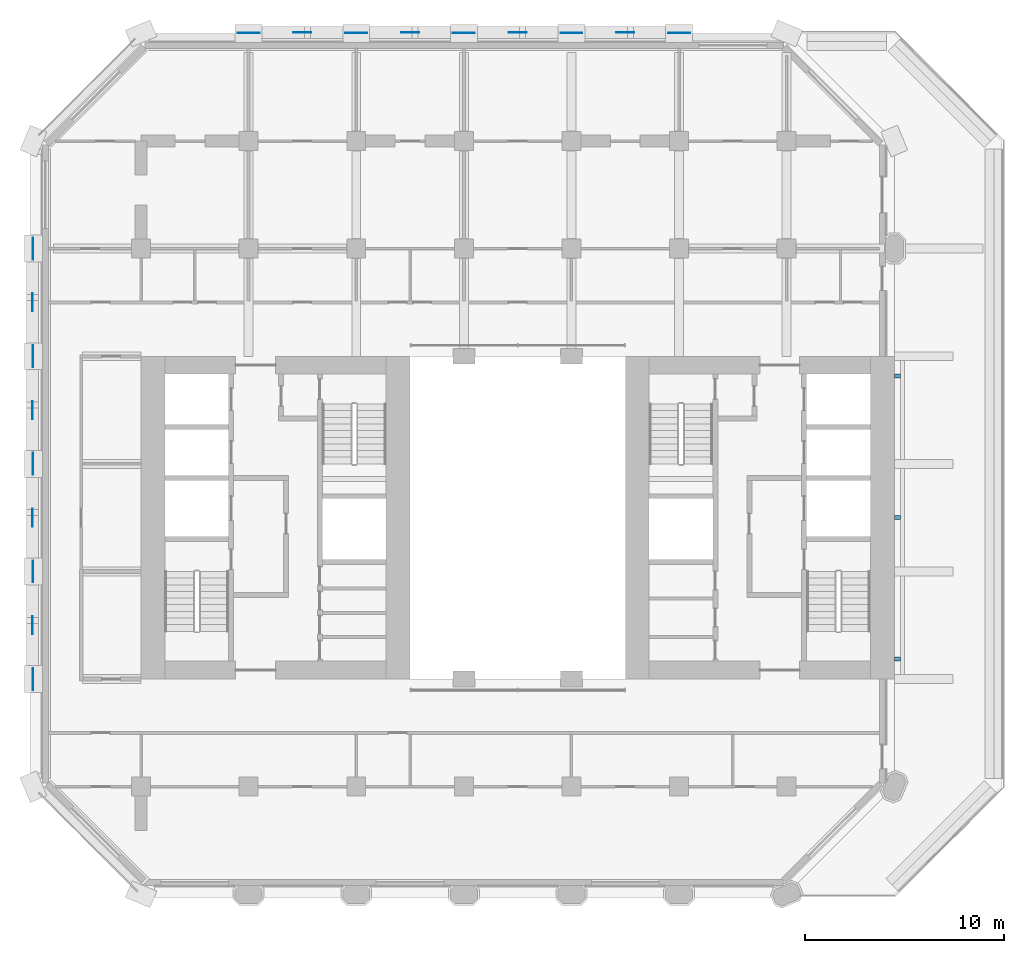
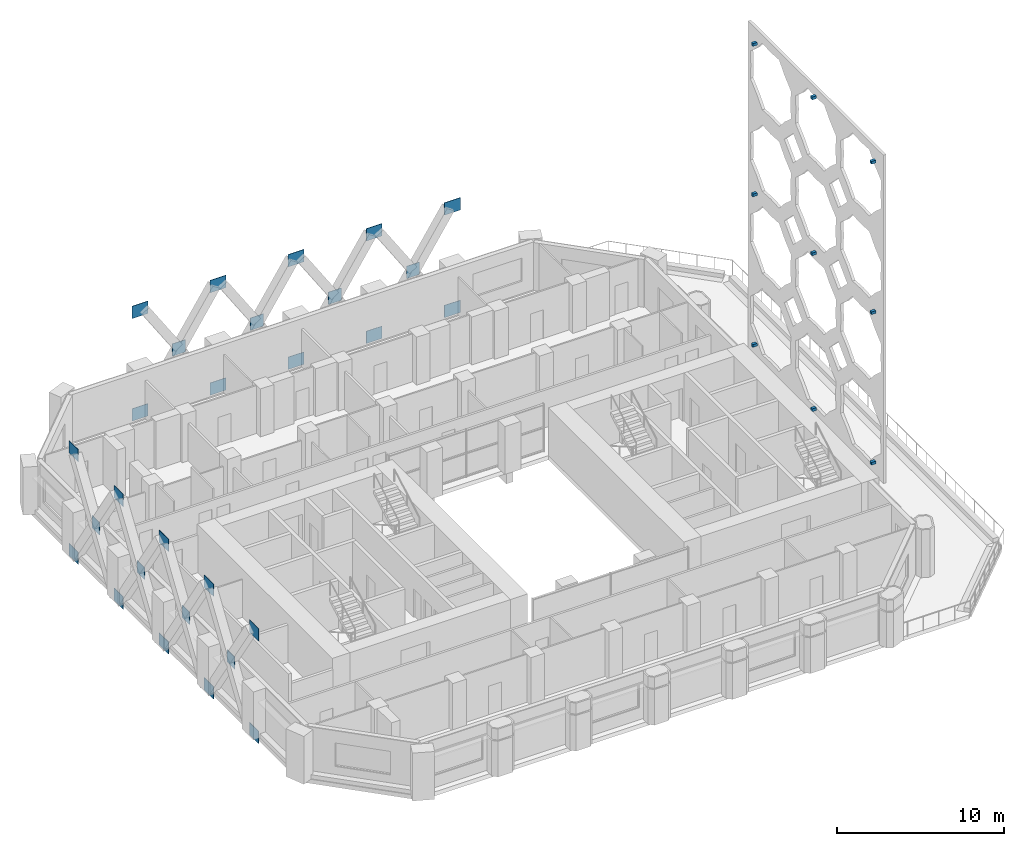
# One storey, part 11 of 14: 37 discrete accessories.
"""IFC4 building model written with IfcOpenShell, lengths in metres."""

from ifc_helpers import new_model, si_unit, direction, frame, origin, origin_2d, place, context, subcontext, project, spatial, rectangle, extrude, material, layer, layer_set, type_object, element, save


model = new_model("IFC4")

# Units and contexts
model_context = context("Model", 3, precision=1e-05, world=origin(), true_north=direction((0.0, 1.0)))
body_context = subcontext(model_context, "Body", "Model", "MODEL_VIEW")
ifc_project = project(units=[si_unit("LENGTHUNIT", "METRE"), si_unit("AREAUNIT", "SQUARE_METRE"), si_unit("VOLUMEUNIT", "CUBIC_METRE"), si_unit("PLANEANGLEUNIT", "RADIAN"), si_unit("MASSUNIT", "GRAM", prefix="KILO")], contexts=[model_context])

# Site, building, storey
site_placement = place(None, origin())
site = spatial("IfcSite", under=ifc_project, at=site_placement, CompositionType="ELEMENT")
building_placement = place(site_placement, origin())
building = spatial("IfcBuilding", under=site, at=building_placement, Name="Tabaq Tower and Sports Hall", CompositionType="ELEMENT")
storey_placement = place(building_placement, frame((0.0, 0.0, 95.39990234375)))
storey = spatial("IfcBuildingStorey", under=building, at=storey_placement, Name="L22", CompositionType="ELEMENT", Elevation=95.39990234375)

# Discrete accessories
ifc_material_1 = material(Name="Steel S355", Category="steel")
ifc_layer_1 = layer(ifc_material_1, 0.030029296875)
ifc_layer_set_1 = layer_set([ifc_layer_1], Name="TRANSFER BAND NODE PLATE 1100x900x30 S355")
discrete_accessory_type_1 = type_object("IfcDiscreteAccessoryType", Name="TRANSFER BAND NODE PLATE 1100x900x30 S355", PredefinedType="ANCHORPLATE", material=ifc_layer_set_1)
for number, where, z_axis, x_axis, name in (
    (1, (10.800048828125, 48.614990234375, -0.499755859375), (0.0, 0.0, 1.0), (-1.0, 0.0, 0.0), "Transfer band node plate L22 North"),
    (2, (16.199951171875, 48.614990234375, -0.499755859375), (0.0, 0.0, 1.0), (-1.0, 0.0, 0.0), "Transfer band node plate L22 North"),
    (3, (21.60009765625, 48.614990234375, -0.499755859375), (0.0, 0.0, 1.0), (-1.0, 0.0, 0.0), "Transfer band node plate L22 North"),
    (4, (27.0, 48.614990234375, -0.499755859375), (0.0, 0.0, 1.0), (-1.0, 0.0, 0.0), "Transfer band node plate L22 North"),
    (5, (32.39990234375, 48.614990234375, -0.499755859375), (0.0, 0.0, 1.0), (-1.0, 0.0, 0.0), "Transfer band node plate L22 North"),
    (6, (10.800048828125, 48.614990234375, 7.000244140625), (0.0, 0.0, 1.0), (-1.0, 0.0, 0.0), "Transfer band node plate L22 North"),
    (7, (16.199951171875, 48.614990234375, 7.000244140625), (0.0, 0.0, 1.0), (-1.0, 0.0, 0.0), "Transfer band node plate L22 North"),
    (8, (21.60009765625, 48.614990234375, 7.000244140625), (0.0, 0.0, 1.0), (-1.0, 0.0, 0.0), "Transfer band node plate L22 North"),
    (9, (27.0, 48.614990234375, 7.000244140625), (0.0, 0.0, 1.0), (-1.0, 0.0, 0.0), "Transfer band node plate L22 North"),
    (10, (32.39990234375, 48.614990234375, 7.000244140625), (0.0, 0.0, 1.0), (-1.0, 0.0, 0.0), "Transfer band node plate L22 North"),
    (11, (-0.014892578125, 16.199951171875, -0.499755859375), (0.0, 0.0, 1.0), (0.0, -1.0, 0.0), "Transfer band node plate L22 West"),
    (12, (-0.014892578125, 21.60009765625, -0.499755859375), (0.0, 0.0, 1.0), (0.0, -1.0, 0.0), "Transfer band node plate L22 West"),
    (13, (-0.014892578125, 27.0, -0.499755859375), (0.0, 0.0, 1.0), (0.0, -1.0, 0.0), "Transfer band node plate L22 West"),
    (14, (-0.014892578125, 32.39990234375, -0.499755859375), (0.0, 0.0, 1.0), (0.0, -1.0, 0.0), "Transfer band node plate L22 West"),
    (15, (-0.014892578125, 37.800048828125, -0.499755859375), (0.0, 0.0, 1.0), (0.0, -1.0, 0.0), "Transfer band node plate L22 West"),
    (16, (-0.014892578125, 16.199951171875, 7.000244140625), (0.0, 0.0, 1.0), (0.0, -1.0, 0.0), "Transfer band node plate L22 West"),
    (17, (-0.014892578125, 21.60009765625, 7.000244140625), (0.0, 0.0, 1.0), (0.0, -1.0, 0.0), "Transfer band node plate L22 West"),
    (18, (-0.014892578125, 27.0, 7.000244140625), (0.0, 0.0, 1.0), (0.0, -1.0, 0.0), "Transfer band node plate L22 West"),
    (19, (-0.014892578125, 32.39990234375, 7.000244140625), (0.0, 0.0, 1.0), (0.0, -1.0, 0.0), "Transfer band node plate L22 West"),
    (20, (-0.014892578125, 37.800048828125, 7.000244140625), (0.0, 0.0, 1.0), (0.0, -1.0, 0.0), "Transfer band node plate L22 West"),
):
    element("IfcDiscreteAccessory", number, at=place(storey_placement, frame(where, z_axis=z_axis, x_axis=x_axis)), inside=storey, type_object=discrete_accessory_type_1, Name=name, PredefinedType="ANCHORPLATE", context=body_context, shape_type="SweptSolid", body=[
        extrude(rectangle(XDim=1.10009765625, YDim=0.030029296875, at=origin_2d()), origin(), (0.0, 0.0, 1.0), 0.89990234375),
    ])
ifc_material_2 = material(Name="Steel S355", Category="steel")
ifc_layer_2 = layer(ifc_material_2, 0.030029296875)
ifc_layer_set_2 = layer_set([ifc_layer_2], Name="TRANSFER BAND NODE PLATE 900x900x30 S355")
discrete_accessory_type_2 = type_object("IfcDiscreteAccessoryType", Name="TRANSFER BAND NODE PLATE 900x900x30 S355", PredefinedType="ANCHORPLATE", material=ifc_layer_set_2)
for number, where, z_axis, x_axis, name in (
    (21, (13.5, 48.64990234375, 3.250244140625), (0.0, 0.0, 1.0), (-1.0, 0.0, 0.0), "Transfer band node plate L22 North"),
    (22, (18.89990234375, 48.64990234375, 3.250244140625), (0.0, 0.0, 1.0), (-1.0, 0.0, 0.0), "Transfer band node plate L22 North"),
    (23, (24.300048828125, 48.64990234375, 3.250244140625), (0.0, 0.0, 1.0), (-1.0, 0.0, 0.0), "Transfer band node plate L22 North"),
    (24, (29.699951171875, 48.64990234375, 3.250244140625), (0.0, 0.0, 1.0), (-1.0, 0.0, 0.0), "Transfer band node plate L22 North"),
    (25, (-0.050048828125, 18.89990234375, 3.250244140625), (0.0, 0.0, 1.0), (0.0, -1.0, 0.0), "Transfer band node plate L22 West"),
    (26, (-0.050048828125, 24.300048828125, 3.250244140625), (0.0, 0.0, 1.0), (0.0, -1.0, 0.0), "Transfer band node plate L22 West"),
    (27, (-0.050048828125, 29.699951171875, 3.250244140625), (0.0, 0.0, 1.0), (0.0, -1.0, 0.0), "Transfer band node plate L22 West"),
    (28, (-0.050048828125, 35.10009765625, 3.250244140625), (0.0, 0.0, 1.0), (0.0, -1.0, 0.0), "Transfer band node plate L22 West"),
):
    element("IfcDiscreteAccessory", number, at=place(storey_placement, frame(where, z_axis=z_axis, x_axis=x_axis)), inside=storey, type_object=discrete_accessory_type_2, Name=name, PredefinedType="ANCHORPLATE", context=body_context, shape_type="SweptSolid", body=[
        extrude(rectangle(XDim=0.89990234375, YDim=0.030029296875, at=origin_2d()), origin(), (0.0, 0.0, 1.0), 0.89990234375),
    ])
for number, where, z_axis, x_axis, name in (
    (29, (43.35009765625, 17.199951171875, 3.85009765625), (0.0, 0.0, 1.0), (0.0, 1.0, 0.0), "Stainless steel bracket"),
    (30, (43.35009765625, 17.199951171875, 14.85009765625), (0.0, 0.0, 1.0), (0.0, 1.0, 0.0), "Stainless steel bracket"),
    (31, (43.35009765625, 17.199951171875, 25.85009765625), (0.0, 0.0, 1.0), (0.0, 1.0, 0.0), "Stainless steel bracket"),
    (32, (43.35009765625, 24.300048828125, 3.4501953125), (0.0, 0.0, 1.0), (0.0, 1.0, 0.0), "Stainless steel bracket"),
    (33, (43.35009765625, 24.300048828125, 14.85009765625), (0.0, 0.0, 1.0), (0.0, 1.0, 0.0), "Stainless steel bracket"),
    (34, (43.35009765625, 24.300048828125, 26.25), (0.0, 0.0, 1.0), (0.0, 1.0, 0.0), "Stainless steel bracket"),
    (35, (43.35009765625, 31.39990234375, 3.85009765625), (0.0, 0.0, 1.0), (0.0, 1.0, 0.0), "Stainless steel bracket"),
    (36, (43.35009765625, 31.39990234375, 14.85009765625), (0.0, 0.0, 1.0), (0.0, 1.0, 0.0), "Stainless steel bracket"),
    (37, (43.35009765625, 31.39990234375, 25.85009765625), (0.0, 0.0, 1.0), (0.0, 1.0, 0.0), "Stainless steel bracket"),
):
    element("IfcDiscreteAccessory", number, at=place(storey_placement, frame(where, z_axis=z_axis, x_axis=x_axis)), inside=storey, Name=name, PredefinedType="BRACKET", context=body_context, shape_type="SweptSolid", body=[
        extrude(rectangle(XDim=0.199951171875, YDim=0.300048828125, at=origin_2d()), origin(), (0.0, 0.0, 1.0), 0.199951171875),
    ])

save(model, "model.ifc")
